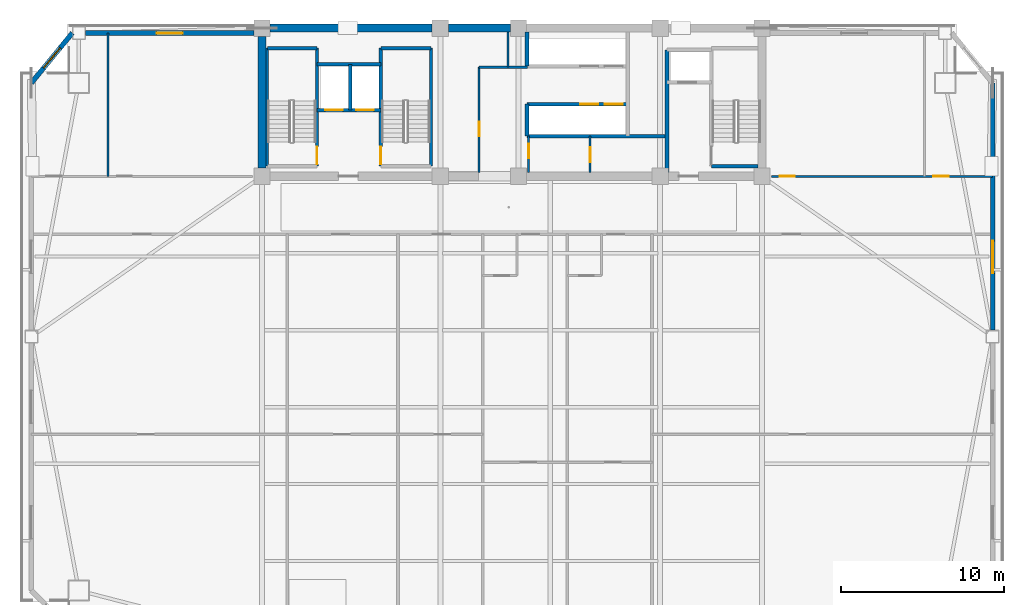
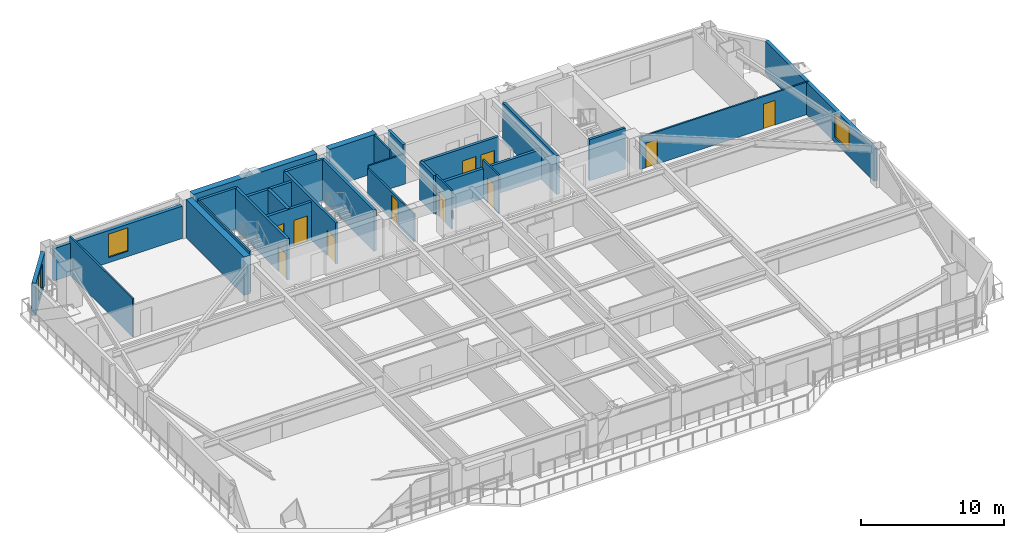
# One storey, part 9 of 16: 28 walls, 11 doors, 3 windows, 14 openings.
"""IFC4 building model written with IfcOpenShell, lengths in metres."""

import ifcopenshell
import ifcopenshell.guid

model = None  # the IFC model being written
_history = None  # IfcOwnerHistory: only IFC2X3 demands one
_inside = {}  # id of a spatial element -> (the spatial element, [elements in it])
_under = {}  # id of a project, library or spatial element -> (it, [spatial elements below it])
_declared = {}  # id of a project -> (the project, [libraries it declares])
_typed = {}  # id of a type object -> (the type object, [elements of that type])
_made_of = {}  # id of a material, layer set ... -> (it, [elements and type objects made of it])


def new_model(schema):
    """Start an empty IFC model of exactly this schema.

    Asked for "IFC4X3", IfcOpenShell would pick the latest addendum, in which some entities
    have other attributes; the version numbers below select the first issue.
    IFC2X3 requires an IfcOwnerHistory on every rooted entity: one is made here for all.
    """
    global model, _history
    if schema == "IFC4X3":
        model = ifcopenshell.file(schema_version=(4, 3, 0, 0))
    else:
        model = ifcopenshell.file(schema=schema)
    _inside.clear()
    _under.clear()
    _declared.clear()
    _typed.clear()
    _made_of.clear()
    _history = None
    if model.schema == "IFC2X3":
        org = make("IfcOrganization", Name="unknown")
        user = make(
            "IfcPersonAndOrganization",
            ThePerson=make("IfcPerson", FamilyName="unknown"),
            TheOrganization=org,
        )
        app = make(
            "IfcApplication",
            ApplicationDeveloper=org,
            Version="unknown",
            ApplicationFullName="unknown",
            ApplicationIdentifier="unknown",
        )
        _history = make(
            "IfcOwnerHistory",
            OwningUser=user,
            OwningApplication=app,
            ChangeAction="ADDED",
            CreationDate=0,
        )
    return model


def make(cls, **values):
    """One entity of the class cls with the attributes given. An attribute that is None is left unset."""
    return model.create_entity(
        cls, **{name: value for name, value in values.items() if value is not None}
    )


def rooted(cls, **values):
    """An entity with a GlobalId (a new one), such as an element, a storey or a relation."""
    return make(cls, GlobalId=ifcopenshell.guid.new(), OwnerHistory=_history, **values)


def si_unit(unit_type, name, prefix=None):
    """IfcSIUnit, for example si_unit("LENGTHUNIT", "METRE", prefix="MILLI")."""
    return make("IfcSIUnit", UnitType=unit_type, Prefix=prefix, Name=name)


def assignment(units):
    """IfcUnitAssignment: the units of a project."""
    return None if units is None else make("IfcUnitAssignment", Units=units)


def point(xyz):
    """IfcCartesianPoint."""
    return None if xyz is None else make("IfcCartesianPoint", Coordinates=xyz)


def direction(xyz):
    """IfcDirection."""
    return None if xyz is None else make("IfcDirection", DirectionRatios=xyz)


def frame(location, z_axis=None, x_axis=None):
    """IfcAxis2Placement3D, a coordinate frame: its origin and axes. An axis left out is left unset."""
    return make(
        "IfcAxis2Placement3D",
        Location=point(location),
        Axis=direction(z_axis),
        RefDirection=direction(x_axis),
    )


def frame_2d(location, x_axis=None):
    """IfcAxis2Placement2D, a coordinate frame in the plane: its origin and x axis."""
    return make(
        "IfcAxis2Placement2D", Location=point(location), RefDirection=direction(x_axis)
    )


def origin():
    """The frame at (0, 0, 0) with its axes left unset."""
    return frame((0.0, 0.0, 0.0))


def place(relative_to, where):
    """IfcLocalPlacement: puts the frame where relative to a parent placement (None: the world)."""
    return make(
        "IfcLocalPlacement", PlacementRelTo=relative_to, RelativePlacement=where
    )


def context(
    kind, dimensions, precision=None, world=None, true_north=None, identifier=None
):
    """IfcGeometricRepresentationContext, for example the 3D "Model" context."""
    return make(
        "IfcGeometricRepresentationContext",
        ContextIdentifier=identifier,
        ContextType=kind,
        CoordinateSpaceDimension=dimensions,
        Precision=precision,
        WorldCoordinateSystem=world,
        TrueNorth=true_north,
    )


def subcontext(parent, identifier, kind, view, scale=None):
    """IfcGeometricRepresentationSubContext, for example "Body" below "Model"."""
    return make(
        "IfcGeometricRepresentationSubContext",
        ContextIdentifier=identifier,
        ContextType=kind,
        ParentContext=parent,
        TargetScale=scale,
        TargetView=view,
    )


def project(units=None, contexts=None):
    """IfcProject with its units and contexts."""
    return rooted(
        "IfcProject",
        Name="project",
        RepresentationContexts=contexts,
        UnitsInContext=assignment(units),
    )


def spatial(cls, under=None, at=None, **own):
    """A site, building, storey or space (cls), placed at a placement, below another one or the project."""
    s = rooted(cls, ObjectPlacement=at, **own)
    if under is not None:
        _under.setdefault(under.id(), (under, []))[1].append(s)
    return s


def profile(cls, at=None, kind="AREA", **sizes):
    """A parametric profile (cls). Its sizes go by their IFC names, for example OverallWidth=200.0."""
    return make(cls, ProfileType=kind, Position=at, **sizes)


def rectangle(**sizes):
    """IfcRectangleProfileDef."""
    return profile("IfcRectangleProfileDef", **sizes)


def extrude(swept, where, along, depth):
    """IfcExtrudedAreaSolid: the profile swept, set in the frame where, extruded along a direction by depth."""
    return make(
        "IfcExtrudedAreaSolid",
        SweptArea=swept,
        Position=where,
        ExtrudedDirection=direction(along),
        Depth=depth,
    )


def shape(context_of_items, identifier, shape_type, items):
    """IfcShapeRepresentation: the items that make up one representation, for example the "Body"."""
    return make(
        "IfcShapeRepresentation",
        ContextOfItems=context_of_items,
        RepresentationIdentifier=identifier,
        RepresentationType=shape_type,
        Items=items,
    )


def source(mapping_origin, context_of_items, identifier, shape_type, items):
    """IfcRepresentationMap: a shape defined once, which mapped items show again and again."""
    return make(
        "IfcRepresentationMap",
        MappingOrigin=mapping_origin,
        MappedRepresentation=shape(context_of_items, identifier, shape_type, items),
    )


def transform(
    local_origin,
    x_axis=None,
    y_axis=None,
    z_axis=None,
    scale=None,
    scale2=None,
    scale3=None,
    uniform=True,
):
    """IfcCartesianTransformationOperator3D, or its non-uniform kind. x_axis, y_axis, z_axis: its Axis1, 2, 3."""
    if uniform:
        return make(
            "IfcCartesianTransformationOperator3D",
            Axis1=direction(x_axis),
            Axis2=direction(y_axis),
            LocalOrigin=point(local_origin),
            Scale=scale,
            Axis3=direction(z_axis),
        )
    return make(
        "IfcCartesianTransformationOperator3DnonUniform",
        Axis1=direction(x_axis),
        Axis2=direction(y_axis),
        LocalOrigin=point(local_origin),
        Scale=scale,
        Axis3=direction(z_axis),
        Scale2=scale2,
        Scale3=scale3,
    )


def mapped(mapping_source, mapping_target):
    """IfcMappedItem: shows the shape of a source again, moved by a transform."""
    return make(
        "IfcMappedItem", MappingSource=mapping_source, MappingTarget=mapping_target
    )


def material(Name=None, Category=None):
    """IfcMaterial."""
    return make("IfcMaterial", Name=Name, Category=Category)


def layer(
    of_material, thickness, ventilated=None, Name=None, Category=None, Priority=None
):
    """IfcMaterialLayer: one layer of a wall or slab, of a material (None: an air gap)."""
    return make(
        "IfcMaterialLayer",
        Material=of_material,
        LayerThickness=thickness,
        IsVentilated=ventilated,
        Name=Name,
        Category=Category,
        Priority=Priority,
    )


def layer_set(layers, Name=None):
    """IfcMaterialLayerSet."""
    return make("IfcMaterialLayerSet", MaterialLayers=layers, LayerSetName=Name)


def made_of(thing, what):
    """Note that an element or type object is made of a material, layer set ...; save() writes the relation."""
    if what is not None:
        _made_of.setdefault(what.id(), (what, []))[1].append(thing)
    return thing


def type_object(cls, material=None, **own):
    """A type object (cls), such as IfcWallType, which elements share."""
    return made_of(rooted(cls, **own), material)


def element(
    cls,
    number,
    at=None,
    inside=None,
    cuts=None,
    type_object=None,
    material=None,
    context=None,
    identifier="Body",
    shape_type=None,
    held_by="IfcProductDefinitionShape",
    body=None,
    shapes=None,
    **own,
):
    """One element of the class cls, such as IfcWall. Its Tag is "e" and its number.

    at: its placement. inside: the storey or other place that contains it. cuts: it is an
    opening in that element (IfcRelVoidsElement). A single representation is given by context,
    identifier, shape_type and body (its items); several are given by shapes. held_by: the class
    of the entity that holds the representations. save() writes the other relations.
    """
    e = rooted(cls, Tag="e%d" % number, ObjectPlacement=at, **own)
    if body is not None:
        shapes = [shape(context, identifier, shape_type, body)]
    if shapes is not None:
        e.Representation = make(held_by, Representations=shapes)
    if inside is not None:
        _inside.setdefault(inside.id(), (inside, []))[1].append(e)
    if cuts is not None:
        rooted(
            "IfcRelVoidsElement", RelatingBuildingElement=cuts, RelatedOpeningElement=e
        )
    if type_object is not None:
        _typed.setdefault(type_object.id(), (type_object, []))[1].append(e)
    return made_of(e, material)


def fill(opening, filler):
    """IfcRelFillsElement: the door or window that sits in an opening."""
    return rooted(
        "IfcRelFillsElement",
        RelatingOpeningElement=opening,
        RelatedBuildingElement=filler,
    )


def aggregate(whole, parts):
    """IfcRelAggregates: a whole, such as a stair, and the parts it consists of."""
    return rooted("IfcRelAggregates", RelatingObject=whole, RelatedObjects=parts)


def save(model, path):
    """Write the relations noted so far, then the file.

    IfcRelAggregates (storeys below a building ...), IfcRelContainedInSpatialStructure (elements
    in a storey), IfcRelDefinesByType, IfcRelAssociatesMaterial and IfcRelDeclares: one each for
    every whole, place, type object, material and project.
    """
    for whole, parts in _under.values():
        aggregate(whole, parts)
    for where, things in _inside.values():
        rooted(
            "IfcRelContainedInSpatialStructure",
            RelatedElements=things,
            RelatingStructure=where,
        )
    for kind, things in _typed.values():
        rooted("IfcRelDefinesByType", RelatedObjects=things, RelatingType=kind)
    for what, things in _made_of.values():
        rooted("IfcRelAssociatesMaterial", RelatedObjects=things, RelatingMaterial=what)
    for by, libraries in _declared.values():
        rooted("IfcRelDeclares", RelatingContext=by, RelatedDefinitions=libraries)
    model.write(path)


model = new_model("IFC4")

# Units and contexts
model_context = context("Model", 3, precision=1e-05, world=origin(), true_north=direction((0.0, 1.0)))
body_context = subcontext(model_context, "Body", "Model", "MODEL_VIEW")
ifc_project = project(units=[si_unit("LENGTHUNIT", "METRE"), si_unit("AREAUNIT", "SQUARE_METRE"), si_unit("VOLUMEUNIT", "CUBIC_METRE"), si_unit("PLANEANGLEUNIT", "RADIAN"), si_unit("MASSUNIT", "GRAM", prefix="KILO")], contexts=[model_context])

# Site, building, storey
site_placement = place(None, origin())
site = spatial("IfcSite", under=ifc_project, at=site_placement, CompositionType="ELEMENT")
building_placement = place(site_placement, origin())
building = spatial("IfcBuilding", under=site, at=building_placement, Name="Giltprow Tower", CompositionType="ELEMENT")
storey_placement = place(building_placement, frame((0.0, 0.0, 159.699951171875)))
storey = spatial("IfcBuildingStorey", under=building, at=storey_placement, Name="L39", CompositionType="ELEMENT", Elevation=159.699951171875)

# Wall, opening, window
ifc_material_1 = material(Name="Precast concrete C40", Category="concrete")
ifc_layer_1 = layer(ifc_material_1, 0.300048828125, Name="Precast concrete C40")
ifc_layer_set_1 = layer_set([ifc_layer_1], Name="Precast concrete C40")
wall_type_1 = type_object("IfcWallType", Name="EW-NOTCH-CHAMFER-300", PredefinedType="SOLIDWALL", material=ifc_layer_set_1)
wall_1_placement = place(storey_placement, frame((8.197021484375, 46.25, 0.0), z_axis=(0.0, 0.0, 1.0), x_axis=(-0.634274117039, -0.773108235925, 0.0)))
wall_1 = element("IfcWall", 1, at=wall_1_placement, inside=storey, type_object=wall_type_1, Name="L39 Corner Notch Wall NW", PredefinedType="SOLIDWALL", context=body_context, shape_type="SweptSolid", body=[
    extrude(rectangle(XDim=3.9619140625, YDim=0.300048828125, at=frame_2d((1.98095703125, 0.0))), origin(), (0.0, 0.0, 1.0), 2.75),
])
opening_1_placement = place(wall_1_placement, frame((1.180908203125, 0.0, 0.449951171875)))
opening_1 = element("IfcOpeningElement", 2, at=opening_1_placement, cuts=wall_1, Name="Opening WN17", PredefinedType="OPENING", context=body_context, shape_type="SweptSolid", body=[
    extrude(rectangle(XDim=1.60009765625, YDim=2.0, at=frame_2d((0.800048828125, 1.0))), frame((0.0, 0.159912109375, 0.0), z_axis=(0.0, -1.0, 0.0), x_axis=(1.0, 0.0, 0.0)), (0.0, 0.0, 1.0), 0.320068359375),
])
ifc_material_2 = material(Name="Insulated glass", Category="glass")
window_type_1 = type_object("IfcWindowType", Name="WN-COR-1600x2000", PartitioningType="SINGLE_PANEL", PredefinedType="WINDOW", material=ifc_material_2)
shared_shape_1 = source(origin(), body_context, "Body", "SweptSolid", [
    extrude(rectangle(XDim=1.60009765625, YDim=2.0, at=frame_2d((0.800048828125, 1.0))), frame((0.0, 0.030029296875, 0.0), z_axis=(0.0, -1.0, 0.0), x_axis=(1.0, 0.0, 0.0)), (0.0, 0.0, 1.0), 0.06005859375),
])
window_1_placement = place(opening_1_placement, origin())
window_1 = element("IfcWindow", 3, at=window_1_placement, inside=storey, type_object=window_type_1, Name="L39 Corner Notch Window NW", OverallHeight=2.0, OverallWidth=1.60009765625, PartitioningType="SINGLE_PANEL", PredefinedType="WINDOW", context=body_context, shape_type="MappedRepresentation", body=[
    mapped(shared_shape_1, transform((0.0, 0.0, 0.0), x_axis=(1.0, 0.0, 0.0), y_axis=(0.0, 1.0, 0.0), z_axis=(0.0, 0.0, 1.0), scale=1.0)),
])
fill(opening_1, window_1)

ifc_layer_2 = layer(ifc_material_1, 0.280029296875, Name="Precast concrete C40")
ifc_layer_set_2 = layer_set([ifc_layer_2], Name="Precast concrete C40")
wall_type_2 = type_object("IfcWallType", Name="EW-TOW-BRONZE-280", PredefinedType="SOLIDWALL", material=ifc_layer_set_2)
wall_2_placement = place(storey_placement, frame((64.716064453125, 27.9990234375, 0.0), z_axis=(0.0, 0.0, 1.0), x_axis=(0.0, 1.0, 0.0)))
wall_2 = element("IfcWall", 4, at=wall_2_placement, inside=storey, type_object=wall_type_2, Name="L39 E Wing Masonry Wall 2", PredefinedType="SOLIDWALL", context=body_context, shape_type="SweptSolid", body=[
    extrude(rectangle(XDim=15.18798828125, YDim=0.280029296875, at=frame_2d((7.593994140625, 0.0))), origin(), (0.0, 0.0, 1.0), 2.75),
])
opening_2_placement = place(wall_2_placement, frame((3.486083984375, 0.0, 0.449951171875)))
opening_2 = element("IfcOpeningElement", 5, at=opening_2_placement, cuts=wall_2, Name="Opening WN21", PredefinedType="OPENING", context=body_context, shape_type="SweptSolid", body=[
    extrude(rectangle(XDim=2.0, YDim=2.0, at=frame_2d((1.0, 1.0))), frame((0.0, 0.14990234375, 0.0), z_axis=(0.0, -1.0, 0.0), x_axis=(1.0, 0.0, 0.0)), (0.0, 0.0, 1.0), 0.300048828125),
])
window_type_2 = type_object("IfcWindowType", Name="WN-HTL-2000x2000", PartitioningType="DOUBLE_PANEL_VERTICAL", PredefinedType="WINDOW", material=ifc_material_2)
shared_shape_2 = source(origin(), body_context, "Body", "SweptSolid", [
    extrude(rectangle(XDim=2.0, YDim=2.0, at=frame_2d((1.0, 1.0))), frame((0.0, 0.030029296875, 0.0), z_axis=(0.0, -1.0, 0.0), x_axis=(1.0, 0.0, 0.0)), (0.0, 0.0, 1.0), 0.06005859375),
])
window_2_placement = place(opening_2_placement, origin())
window_2 = element("IfcWindow", 6, at=window_2_placement, inside=storey, type_object=window_type_2, Name="L39 E Wing Window 2-1", OverallHeight=2.0, OverallWidth=2.0, PartitioningType="SINGLE_PANEL", PredefinedType="WINDOW", context=body_context, shape_type="MappedRepresentation", body=[
    mapped(shared_shape_2, transform((0.0, 0.0, 0.0), x_axis=(1.0, 0.0, 0.0), y_axis=(0.0, 1.0, 0.0), z_axis=(0.0, 0.0, 1.0), scale=1.0)),
])
fill(opening_2, window_2)

wall_3_placement = place(storey_placement, frame((8.9970703125, 46.25, 0.0), z_axis=(0.0, 0.0, 1.0), x_axis=(1.0, 0.0, 0.0)))
wall_3 = element("IfcWall", 7, at=wall_3_placement, inside=storey, type_object=wall_type_2, Name="L39 North-West Wing Wall", PredefinedType="SOLIDWALL", context=body_context, shape_type="SweptSolid", body=[
    extrude(rectangle(XDim=10.35302734375, YDim=0.280029296875, at=frame_2d((5.176513671875, 0.0))), origin(), (0.0, 0.0, 1.0), 2.75),
])
opening_3_placement = place(wall_3_placement, frame((4.376953125, 0.0, 0.449951171875)))
opening_3 = element("IfcOpeningElement", 8, at=opening_3_placement, cuts=wall_3, Name="Opening WN17", PredefinedType="OPENING", context=body_context, shape_type="SweptSolid", body=[
    extrude(rectangle(XDim=1.60009765625, YDim=2.0, at=frame_2d((0.800048828125, 1.0))), frame((0.0, 0.14990234375, 0.0), z_axis=(0.0, -1.0, 0.0), x_axis=(1.0, 0.0, 0.0)), (0.0, 0.0, 1.0), 0.300048828125),
])
window_3_placement = place(opening_3_placement, origin())
window_3 = element("IfcWindow", 9, at=window_3_placement, inside=storey, type_object=window_type_1, Name="L39 North-West Window", OverallHeight=2.0, OverallWidth=1.60009765625, PartitioningType="SINGLE_PANEL", PredefinedType="WINDOW", context=body_context, shape_type="MappedRepresentation", body=[
    mapped(shared_shape_1, transform((0.0, 0.0, 0.0), x_axis=(1.0, 0.0, 0.0), y_axis=(0.0, 1.0, 0.0), z_axis=(0.0, 0.0, 1.0), scale=1.0)),
])
fill(opening_3, window_3)

# Wall, openings, doors
ifc_material_3 = material(Name="Concrete C40", Category="concrete")
ifc_layer_3 = layer(ifc_material_3, 0.219970703125, Name="Concrete C40")
ifc_layer_set_3 = layer_set([ifc_layer_3], Name="Concrete C40")
wall_type_3 = type_object("IfcWallType", Name="IW-SHAFT-220", PredefinedType="SOLIDWALL", material=ifc_layer_set_3)
wall_4_placement = place(storey_placement, frame((23.219970703125, 41.52001953125, 0.0), z_axis=(0.0, 0.0, 1.0), x_axis=(1.0, 0.0, 0.0)))
wall_4 = element("IfcWall", 10, at=wall_4_placement, inside=storey, type_object=wall_type_3, Name="L39 FFL1 and Service Lift Front Wall", PredefinedType="SOLIDWALL", context=body_context, shape_type="SweptSolid", body=[
    extrude(rectangle(XDim=3.919921875, YDim=0.219970703125, at=frame_2d((1.9599609375, 0.0))), origin(), (0.0, 0.0, 1.0), 3.27001953125),
])
opening_4_placement = place(wall_4_placement, frame((0.5, 0.0, 0.0)))
opening_4 = element("IfcOpeningElement", 11, at=opening_4_placement, cuts=wall_4, Name="Opening LD-11", PredefinedType="OPENING", context=body_context, shape_type="SweptSolid", body=[
    extrude(rectangle(XDim=1.10009765625, YDim=2.199951171875, at=frame_2d((0.550048828125, 1.10009765625))), frame((0.0, 0.119873046875, 0.0), z_axis=(0.0, -1.0, 0.0), x_axis=(1.0, 0.0, 0.0)), (0.0, 0.0, 1.0), 0.239990234375),
])
opening_5_placement = place(wall_4_placement, frame((2.39990234375, 0.0, 0.0)))
opening_5 = element("IfcOpeningElement", 12, at=opening_5_placement, cuts=wall_4, Name="Opening LD-11", PredefinedType="OPENING", context=body_context, shape_type="SweptSolid", body=[
    extrude(rectangle(XDim=1.10009765625, YDim=2.199951171875, at=frame_2d((0.550048828125, 1.10009765625))), frame((0.0, 0.119873046875, 0.0), z_axis=(0.0, -1.0, 0.0), x_axis=(1.0, 0.0, 0.0)), (0.0, 0.0, 1.0), 0.239990234375),
])
ifc_material_4 = material(Name="Stainless steel", Category="steel")
door_type_1 = type_object("IfcDoorType", Name="DR-LIFT-LD1100", OperationType="SLIDING_TO_LEFT", PredefinedType="DOOR", material=ifc_material_4)
shared_shape_3 = source(origin(), body_context, "Body", "SweptSolid", [
    extrude(rectangle(XDim=1.10009765625, YDim=2.199951171875, at=frame_2d((0.550048828125, 1.10009765625))), frame((0.0, 0.02490234375, 0.0), z_axis=(0.0, -1.0, 0.0), x_axis=(1.0, 0.0, 0.0)), (0.0, 0.0, 1.0), 0.050048828125),
])
door_1_placement = place(opening_4_placement, origin())
door_1 = element("IfcDoor", 13, at=door_1_placement, inside=storey, type_object=door_type_1, Name="L39 FFL1 Landing Door", OperationType="SLIDING_TO_LEFT", OverallHeight=2.199951171875, OverallWidth=1.10009765625, PredefinedType="DOOR", context=body_context, shape_type="MappedRepresentation", body=[
    mapped(shared_shape_3, transform((0.0, 0.0, 0.0), x_axis=(1.0, 0.0, 0.0), y_axis=(0.0, 1.0, 0.0), z_axis=(0.0, 0.0, 1.0), scale=1.0)),
])
fill(opening_4, door_1)
door_2_placement = place(opening_5_placement, origin())
door_2 = element("IfcDoor", 14, at=door_2_placement, inside=storey, type_object=door_type_1, Name="L39 SVL1 Landing Door", OperationType="SLIDING_TO_LEFT", OverallHeight=2.199951171875, OverallWidth=1.10009765625, PredefinedType="DOOR", context=body_context, shape_type="MappedRepresentation", body=[
    mapped(shared_shape_3, transform((0.0, 0.0, 0.0), x_axis=(1.0, 0.0, 0.0), y_axis=(0.0, 1.0, 0.0), z_axis=(0.0, 0.0, 1.0), scale=1.0)),
])
fill(opening_5, door_2)

# Walls
wall_5_placement = place(storey_placement, frame((25.260009765625, 41.52001953125, 0.0), z_axis=(0.0, 0.0, 1.0), x_axis=(0.0, 1.0, 0.0)))
element("IfcWall", 15, at=wall_5_placement, inside=storey, type_object=wall_type_3, Name="L39 FFL1-SVL1 Shaft Divider", PredefinedType="SOLIDWALL", context=body_context, shape_type="SweptSolid", body=[
    extrude(rectangle(XDim=2.800048828125, YDim=0.219970703125, at=frame_2d((1.39990234375, 0.0))), origin(), (0.0, 0.0, 1.0), 3.27001953125),
])
wall_6_placement = place(storey_placement, frame((23.219970703125, 44.320068359375, 0.0), z_axis=(0.0, 0.0, 1.0), x_axis=(1.0, 0.0, 0.0)))
element("IfcWall", 16, at=wall_6_placement, inside=storey, type_object=wall_type_3, Name="L39 FFL1-SVL1 Back Shaft Wall", PredefinedType="SOLIDWALL", context=body_context, shape_type="SweptSolid", body=[
    extrude(rectangle(XDim=3.919921875, YDim=0.219970703125, at=frame_2d((1.9599609375, 0.0))), origin(), (0.0, 0.0, 1.0), 3.27001953125),
])
wall_7_placement = place(storey_placement, frame((44.719970703125, 37.679931640625, 0.0), z_axis=(0.0, 0.0, 1.0), x_axis=(0.0, 1.0, 0.0)))
element("IfcWall", 17, at=wall_7_placement, inside=storey, type_object=wall_type_3, Name="L39 East Firefighting Lobby West Wall", PredefinedType="SOLIDWALL", context=body_context, shape_type="SweptSolid", body=[
    extrude(rectangle(XDim=7.5400390625, YDim=0.219970703125, at=frame_2d((3.77001953125, 0.0))), origin(), (0.0, 0.0, 1.0), 3.27001953125),
])

# Wall, openings, doors
wall_8_placement = place(storey_placement, frame((36.1201171875, 41.8798828125, 0.0), z_axis=(0.0, 0.0, 1.0), x_axis=(1.0, 0.0, 0.0)))
wall_8 = element("IfcWall", 18, at=wall_8_placement, inside=storey, type_object=wall_type_3, Name="L39 Mid-Rise Lift Shaft Front Wall S", PredefinedType="SOLIDWALL", context=body_context, shape_type="SweptSolid", body=[
    extrude(rectangle(XDim=6.199951171875, YDim=0.219970703125, at=frame_2d((3.10009765625, 0.0))), origin(), (0.0, 0.0, 1.0), 3.27001953125),
])
opening_6_placement = place(wall_8_placement, frame((3.280029296875, 0.0, 0.0)))
opening_6 = element("IfcOpeningElement", 19, at=opening_6_placement, cuts=wall_8, Name="Opening LD-11", PredefinedType="OPENING", context=body_context, shape_type="SweptSolid", body=[
    extrude(rectangle(XDim=1.10009765625, YDim=2.199951171875, at=frame_2d((0.550048828125, 1.10009765625))), frame((0.0, 0.119873046875, 0.0), z_axis=(0.0, -1.0, 0.0), x_axis=(1.0, 0.0, 0.0)), (0.0, 0.0, 1.0), 0.239990234375),
])
opening_7_placement = place(wall_8_placement, frame((4.77001953125, 0.0, 0.0)))
opening_7 = element("IfcOpeningElement", 20, at=opening_7_placement, cuts=wall_8, Name="Opening LD-11", PredefinedType="OPENING", context=body_context, shape_type="SweptSolid", body=[
    extrude(rectangle(XDim=1.10009765625, YDim=2.199951171875, at=frame_2d((0.550048828125, 1.10009765625))), frame((0.0, 0.119873046875, 0.0), z_axis=(0.0, -1.0, 0.0), x_axis=(1.0, 0.0, 0.0)), (0.0, 0.0, 1.0), 0.239990234375),
])
door_3_placement = place(opening_6_placement, origin())
door_3 = element("IfcDoor", 21, at=door_3_placement, inside=storey, type_object=door_type_1, Name="L39 PL-M3 Landing Door", OperationType="SLIDING_TO_LEFT", OverallHeight=2.199951171875, OverallWidth=1.10009765625, PredefinedType="DOOR", context=body_context, shape_type="MappedRepresentation", body=[
    mapped(shared_shape_3, transform((0.0, 0.0, 0.0), x_axis=(1.0, 0.0, 0.0), y_axis=(0.0, 1.0, 0.0), z_axis=(0.0, 0.0, 1.0), scale=1.0)),
])
fill(opening_6, door_3)
door_4_placement = place(opening_7_placement, origin())
door_4 = element("IfcDoor", 22, at=door_4_placement, inside=storey, type_object=door_type_1, Name="L39 PL-M4 Landing Door", OperationType="SLIDING_TO_LEFT", OverallHeight=2.199951171875, OverallWidth=1.10009765625, PredefinedType="DOOR", context=body_context, shape_type="MappedRepresentation", body=[
    mapped(shared_shape_3, transform((0.0, 0.0, 0.0), x_axis=(1.0, 0.0, 0.0), y_axis=(0.0, 1.0, 0.0), z_axis=(0.0, 0.0, 1.0), scale=1.0)),
])
fill(opening_7, door_4)

# Walls
wall_9_placement = place(storey_placement, frame((36.1201171875, 39.919921875, 0.0), z_axis=(0.0, 0.0, 1.0), x_axis=(1.0, 0.0, 0.0)))
element("IfcWall", 23, at=wall_9_placement, inside=storey, type_object=wall_type_3, Name="L39 Mid-Rise South Lift Back Wall", PredefinedType="SOLIDWALL", context=body_context, shape_type="SweptSolid", body=[
    extrude(rectangle(XDim=8.599853515625, YDim=0.219970703125, at=frame_2d((4.2998046875, 0.0))), origin(), (0.0, 0.0, 1.0), 2.554931640625),
])
wall_10_placement = place(storey_placement, frame((36.1201171875, 39.919921875, 0.0), z_axis=(0.0, 0.0, 1.0), x_axis=(0.0, 1.0, 0.0)))
element("IfcWall", 24, at=wall_10_placement, inside=storey, type_object=wall_type_3, Name="L39 Mid-Rise South Lift West Closure", PredefinedType="SOLIDWALL", context=body_context, shape_type="SweptSolid", body=[
    extrude(rectangle(XDim=1.9599609375, YDim=0.219970703125, at=frame_2d((0.97998046875, 0.0))), origin(), (0.0, 0.0, 1.0), 3.27001953125),
])
wall_11_placement = place(storey_placement, frame((36.1201171875, 44.219970703125, 0.0), z_axis=(0.0, 0.0, 1.0), x_axis=(0.0, 1.0, 0.0)))
element("IfcWall", 25, at=wall_11_placement, inside=storey, type_object=wall_type_3, Name="L39 Mid-Rise North Lift West Closure", PredefinedType="SOLIDWALL", context=body_context, shape_type="SweptSolid", body=[
    extrude(rectangle(XDim=2.10009765625, YDim=0.219970703125, at=frame_2d((1.050048828125, 0.0))), origin(), (0.0, 0.0, 1.0), 3.27001953125),
])
ifc_material_5 = material(Name="Concrete C45", Category="concrete")
ifc_layer_4 = layer(ifc_material_5, 0.139892578125, Name="Concrete C45")
ifc_layer_set_4 = layer_set([ifc_layer_4], Name="Concrete C45")
wall_type_4 = type_object("IfcWallType", Name="IW-STAIR-140", PredefinedType="SOLIDWALL", material=ifc_layer_set_4)
wall_12_placement = place(storey_placement, frame((20.169921875, 38.070068359375, 0.0), z_axis=(0.0, 0.0, 1.0), x_axis=(0.0, 1.0, 0.0)))
element("IfcWall", 26, at=wall_12_placement, inside=storey, type_object=wall_type_4, Name="L39 Stair ST-1 West Bearing Wall", PredefinedType="SOLIDWALL", context=body_context, shape_type="SweptSolid", body=[
    extrude(rectangle(XDim=7.25, YDim=0.139892578125, at=frame_2d((3.625, 0.0))), origin(), (0.0, 0.0, 1.0), 3.5),
])

# Wall, opening, door
ifc_layer_5 = layer(ifc_material_3, 0.199951171875, Name="Concrete C40")
ifc_layer_set_5 = layer_set([ifc_layer_5], Name="Concrete C40")
wall_type_5 = type_object("IfcWallType", Name="IW-STAIR-200", PredefinedType="SOLIDWALL", material=ifc_layer_set_5)
wall_13_placement = place(storey_placement, frame((23.219970703125, 38.070068359375, 0.0), z_axis=(0.0, 0.0, 1.0), x_axis=(0.0, 1.0, 0.0)))
wall_13 = element("IfcWall", 27, at=wall_13_placement, inside=storey, type_object=wall_type_5, Name="L39 Stair ST-1 East Bearing Wall", PredefinedType="SOLIDWALL", context=body_context, shape_type="SweptSolid", body=[
    extrude(rectangle(XDim=7.25, YDim=0.199951171875, at=frame_2d((3.625, 0.0))), origin(), (0.0, 0.0, 1.0), 3.5),
])
opening_8_placement = place(wall_13_placement, frame((0.110107421875, 0.0, 0.0)))
opening_8 = element("IfcOpeningElement", 28, at=opening_8_placement, cuts=wall_13, Name="Opening ID33", PredefinedType="OPENING", context=body_context, shape_type="SweptSolid", body=[
    extrude(rectangle(XDim=1.10009765625, YDim=2.14990234375, at=frame_2d((0.550048828125, 1.074951171875))), frame((0.0, 0.10986328125, 0.0), z_axis=(0.0, -1.0, 0.0), x_axis=(1.0, 0.0, 0.0)), (0.0, 0.0, 1.0), 0.219970703125),
])
ifc_material_6 = material(Name="Steel fire leaf", Category="steel")
door_type_2 = type_object("IfcDoorType", Name="DR-STAIR-1100", OperationType="SINGLE_SWING_LEFT", PredefinedType="DOOR", material=ifc_material_6)
shared_shape_4 = source(origin(), body_context, "Body", "SweptSolid", [
    extrude(rectangle(XDim=1.10009765625, YDim=2.14990234375, at=frame_2d((0.550048828125, 1.074951171875))), frame((0.0, 0.02490234375, 0.0), z_axis=(0.0, -1.0, 0.0), x_axis=(1.0, 0.0, 0.0)), (0.0, 0.0, 1.0), 0.050048828125),
])
door_5_placement = place(opening_8_placement, origin())
door_5 = element("IfcDoor", 29, at=door_5_placement, inside=storey, type_object=door_type_2, Name="L39 Stair ST-1 Fire Door", OperationType="SINGLE_SWING_RIGHT", OverallHeight=2.14990234375, OverallWidth=1.10009765625, PredefinedType="DOOR", context=body_context, shape_type="MappedRepresentation", body=[
    mapped(shared_shape_4, transform((0.0, 0.0, 0.0), x_axis=(1.0, 0.0, 0.0), y_axis=(0.0, 1.0, 0.0), z_axis=(0.0, 0.0, 1.0), scale=1.0)),
])
fill(opening_8, door_5)

# Wall
wall_14_placement = place(storey_placement, frame((20.169921875, 45.320068359375, 0.0), z_axis=(0.0, 0.0, 1.0), x_axis=(1.0, 0.0, 0.0)))
element("IfcWall", 30, at=wall_14_placement, inside=storey, type_object=wall_type_5, Name="L39 Stair ST-1 North Bearing Wall", PredefinedType="SOLIDWALL", context=body_context, shape_type="SweptSolid", body=[
    extrude(rectangle(XDim=3.050048828125, YDim=0.199951171875, at=frame_2d((1.52490234375, 0.0))), origin(), (0.0, 0.0, 1.0), 3.5),
])

# Wall, opening, door
wall_15_placement = place(storey_placement, frame((27.139892578125, 38.070068359375, 0.0), z_axis=(0.0, 0.0, 1.0), x_axis=(0.0, 1.0, 0.0)))
wall_15 = element("IfcWall", 31, at=wall_15_placement, inside=storey, type_object=wall_type_5, Name="L39 Stair ST-2 West Bearing Wall", PredefinedType="SOLIDWALL", context=body_context, shape_type="SweptSolid", body=[
    extrude(rectangle(XDim=7.25, YDim=0.199951171875, at=frame_2d((3.625, 0.0))), origin(), (0.0, 0.0, 1.0), 3.5),
])
opening_9_placement = place(wall_15_placement, frame((0.110107421875, 0.0, 0.0)))
opening_9 = element("IfcOpeningElement", 32, at=opening_9_placement, cuts=wall_15, Name="Opening ID33", PredefinedType="OPENING", context=body_context, shape_type="SweptSolid", body=[
    extrude(rectangle(XDim=1.10009765625, YDim=2.14990234375, at=frame_2d((0.550048828125, 1.074951171875))), frame((0.0, 0.10986328125, 0.0), z_axis=(0.0, -1.0, 0.0), x_axis=(1.0, 0.0, 0.0)), (0.0, 0.0, 1.0), 0.219970703125),
])
door_6_placement = place(opening_9_placement, origin())
door_6 = element("IfcDoor", 33, at=door_6_placement, inside=storey, type_object=door_type_2, Name="L39 Stair ST-2 Fire Door", OperationType="SINGLE_SWING_LEFT", OverallHeight=2.14990234375, OverallWidth=1.10009765625, PredefinedType="DOOR", context=body_context, shape_type="MappedRepresentation", body=[
    mapped(shared_shape_4, transform((0.0, 0.0, 0.0), x_axis=(1.0, 0.0, 0.0), y_axis=(0.0, 1.0, 0.0), z_axis=(0.0, 0.0, 1.0), scale=1.0)),
])
fill(opening_9, door_6)

# Walls
wall_16_placement = place(storey_placement, frame((30.219970703125, 38.070068359375, 0.0), z_axis=(0.0, 0.0, 1.0), x_axis=(0.0, 1.0, 0.0)))
element("IfcWall", 34, at=wall_16_placement, inside=storey, type_object=wall_type_5, Name="L39 Stair ST-2 East Bearing Wall", PredefinedType="SOLIDWALL", context=body_context, shape_type="SweptSolid", body=[
    extrude(rectangle(XDim=7.25, YDim=0.199951171875, at=frame_2d((3.625, 0.0))), origin(), (0.0, 0.0, 1.0), 3.5),
])
wall_17_placement = place(storey_placement, frame((27.139892578125, 45.320068359375, 0.0), z_axis=(0.0, 0.0, 1.0), x_axis=(1.0, 0.0, 0.0)))
element("IfcWall", 35, at=wall_17_placement, inside=storey, type_object=wall_type_5, Name="L39 Stair ST-2 North Bearing Wall", PredefinedType="SOLIDWALL", context=body_context, shape_type="SweptSolid", body=[
    extrude(rectangle(XDim=3.080078125, YDim=0.199951171875, at=frame_2d((1.5400390625, 0.0))), origin(), (0.0, 0.0, 1.0), 3.5),
])
wall_18_placement = place(storey_placement, frame((47.43994140625, 38.070068359375, 0.0), z_axis=(0.0, 0.0, 1.0), x_axis=(1.0, 0.0, 0.0)))
element("IfcWall", 36, at=wall_18_placement, inside=storey, type_object=wall_type_5, Name="L39 Stair ST-3 South Bearing Wall", PredefinedType="SOLIDWALL", context=body_context, shape_type="SweptSolid", body=[
    extrude(rectangle(XDim=2.880126953125, YDim=0.199951171875, at=frame_2d((1.43994140625, 0.0))), origin(), (0.0, 0.0, 1.0), 3.5),
])

# Wall, opening, door
ifc_material_7 = material(Name="Concrete C30", Category="concrete")
ifc_layer_6 = layer(ifc_material_7, 0.1298828125, Name="Concrete C30")
ifc_layer_set_6 = layer_set([ifc_layer_6], Name="Concrete C30")
wall_type_6 = type_object("IfcWallType", Name="IW-WET-130", PredefinedType="PARTITIONING", material=ifc_layer_set_6)
wall_19_placement = place(storey_placement, frame((33.179931640625, 37.679931640625, 0.0), z_axis=(0.0, 0.0, 1.0), x_axis=(0.0, 1.0, 0.0)))
wall_19 = element("IfcWall", 37, at=wall_19_placement, inside=storey, type_object=wall_type_6, Name="L39 Reclaimed Core Room East Wall", PredefinedType="PARTITIONING", context=body_context, shape_type="SweptSolid", body=[
    extrude(rectangle(XDim=6.469970703125, YDim=0.1298828125, at=frame_2d((3.23486328125, 0.0))), origin(), (0.0, 0.0, 1.0), 2.35498046875),
])
opening_10_placement = place(wall_19_placement, frame((2.219970703125, 0.0, 0.0)))
opening_10 = element("IfcOpeningElement", 38, at=opening_10_placement, cuts=wall_19, Name="Opening ID35", PredefinedType="OPENING", context=body_context, shape_type="SweptSolid", body=[
    extrude(rectangle(XDim=0.89990234375, YDim=2.10009765625, at=frame_2d((0.449951171875, 1.050048828125))), frame((0.0, 0.074951171875, 0.0), z_axis=(0.0, -1.0, 0.0), x_axis=(1.0, 0.0, 0.0)), (0.0, 0.0, 1.0), 0.14990234375),
])
door_type_3 = type_object("IfcDoorType", Name="DR-SHAFT-900", OperationType="SINGLE_SWING_LEFT", PredefinedType="DOOR", material=ifc_material_6)
shared_shape_5 = source(origin(), body_context, "Body", "SweptSolid", [
    extrude(rectangle(XDim=0.89990234375, YDim=2.10009765625, at=frame_2d((0.449951171875, 1.050048828125))), frame((0.0, 0.02490234375, 0.0), z_axis=(0.0, -1.0, 0.0), x_axis=(1.0, 0.0, 0.0)), (0.0, 0.0, 1.0), 0.050048828125),
])
door_7_placement = place(opening_10_placement, origin())
door_7 = element("IfcDoor", 39, at=door_7_placement, inside=storey, type_object=door_type_3, Name="L39 Housekeeping and Linen Suite Door", OperationType="SINGLE_SWING_LEFT", OverallHeight=2.10009765625, OverallWidth=0.89990234375, PredefinedType="DOOR", context=body_context, shape_type="MappedRepresentation", body=[
    mapped(shared_shape_5, transform((0.0, 0.0, 0.0), x_axis=(1.0, 0.0, 0.0), y_axis=(0.0, 1.0, 0.0), z_axis=(0.0, 0.0, 1.0), scale=1.0)),
])
fill(opening_10, door_7)

# Walls
wall_20_placement = place(storey_placement, frame((34.949951171875, 44.14990234375, 0.0), z_axis=(0.0, 0.0, 1.0), x_axis=(0.0, 1.0, 0.0)))
element("IfcWall", 40, at=wall_20_placement, inside=storey, type_object=wall_type_6, Name="L39 Reclaimed North Pocket East Wall", PredefinedType="PARTITIONING", context=body_context, shape_type="SweptSolid", body=[
    extrude(rectangle(XDim=2.170166015625, YDim=0.1298828125, at=frame_2d((1.0849609375, 0.0))), origin(), (0.0, 0.0, 1.0), 3.27001953125),
])
wall_21_placement = place(storey_placement, frame((33.179931640625, 44.14990234375, 0.0), z_axis=(0.0, 0.0, 1.0), x_axis=(1.0, 0.0, 0.0)))
element("IfcWall", 41, at=wall_21_placement, inside=storey, type_object=wall_type_6, Name="L39 Reclaimed North Pocket South Wall", PredefinedType="PARTITIONING", context=body_context, shape_type="SweptSolid", body=[
    extrude(rectangle(XDim=2.969970703125, YDim=0.1298828125, at=frame_2d((1.48486328125, 0.0))), origin(), (0.0, 0.0, 1.0), 2.554931640625),
])

# Wall, opening, door
wall_22_placement = place(storey_placement, frame((36.219970703125, 37.679931640625, 0.0), z_axis=(0.0, 0.0, 1.0), x_axis=(0.0, 1.0, 0.0)))
wall_22 = element("IfcWall", 42, at=wall_22_placement, inside=storey, type_object=wall_type_6, Name="L39 Core Valet West Wall", PredefinedType="PARTITIONING", context=body_context, shape_type="SweptSolid", body=[
    extrude(rectangle(XDim=2.239990234375, YDim=0.1298828125, at=frame_2d((1.1201171875, 0.0))), origin(), (0.0, 0.0, 1.0), 3.27001953125),
])
opening_11_placement = place(wall_22_placement, frame((0.8798828125, 0.0, 0.0)))
opening_11 = element("IfcOpeningElement", 43, at=opening_11_placement, cuts=wall_22, Name="Opening ID35", PredefinedType="OPENING", context=body_context, shape_type="SweptSolid", body=[
    extrude(rectangle(XDim=0.89990234375, YDim=2.10009765625, at=frame_2d((0.449951171875, 1.050048828125))), frame((0.0, 0.074951171875, 0.0), z_axis=(0.0, -1.0, 0.0), x_axis=(1.0, 0.0, 0.0)), (0.0, 0.0, 1.0), 0.14990234375),
])
door_8_placement = place(opening_11_placement, origin())
door_8 = element("IfcDoor", 44, at=door_8_placement, inside=storey, type_object=door_type_3, Name="L39 Core Staff WC Door", OperationType="SINGLE_SWING_RIGHT", OverallHeight=2.10009765625, OverallWidth=0.89990234375, PredefinedType="DOOR", context=body_context, shape_type="MappedRepresentation", body=[
    mapped(shared_shape_5, transform((0.0, 0.0, 0.0), x_axis=(1.0, 0.0, 0.0), y_axis=(0.0, 1.0, 0.0), z_axis=(0.0, 0.0, 1.0), scale=1.0)),
])
fill(opening_11, door_8)

wall_23_placement = place(storey_placement, frame((40.0, 37.679931640625, 0.0), z_axis=(0.0, 0.0, 1.0), x_axis=(0.0, 1.0, 0.0)))
wall_23 = element("IfcWall", 45, at=wall_23_placement, inside=storey, type_object=wall_type_6, Name="L39 Core Valet Split", PredefinedType="PARTITIONING", context=body_context, shape_type="SweptSolid", body=[
    extrude(rectangle(XDim=2.239990234375, YDim=0.1298828125, at=frame_2d((1.1201171875, 0.0))), origin(), (0.0, 0.0, 1.0), 3.27001953125),
])
opening_12_placement = place(wall_23_placement, frame((0.639892578125, 0.0, 0.0)))
opening_12 = element("IfcOpeningElement", 46, at=opening_12_placement, cuts=wall_23, Name="Opening ID35", PredefinedType="OPENING", context=body_context, shape_type="SweptSolid", body=[
    extrude(rectangle(XDim=0.89990234375, YDim=2.10009765625, at=frame_2d((0.449951171875, 1.050048828125))), frame((0.0, 0.074951171875, 0.0), z_axis=(0.0, -1.0, 0.0), x_axis=(1.0, 0.0, 0.0)), (0.0, 0.0, 1.0), 0.14990234375),
])
door_9_placement = place(opening_12_placement, origin())
door_9 = element("IfcDoor", 47, at=door_9_placement, inside=storey, type_object=door_type_3, Name="L39 Core Minibar Pantry Door", OperationType="SINGLE_SWING_LEFT", OverallHeight=2.10009765625, OverallWidth=0.89990234375, PredefinedType="DOOR", context=body_context, shape_type="MappedRepresentation", body=[
    mapped(shared_shape_5, transform((0.0, 0.0, 0.0), x_axis=(1.0, 0.0, 0.0), y_axis=(0.0, 1.0, 0.0), z_axis=(0.0, 0.0, 1.0), scale=1.0)),
])
fill(opening_12, door_9)

# Wall
wall_24_placement = place(storey_placement, frame((10.39404296875, 37.449951171875, 0.0), z_axis=(0.0, 0.0, 1.0), x_axis=(0.0, 1.0, 0.0)))
element("IfcWall", 48, at=wall_24_placement, inside=storey, type_object=wall_type_6, Name="L39 NW Wing Divider", PredefinedType="PARTITIONING", context=body_context, shape_type="SweptSolid", body=[
    extrude(rectangle(XDim=8.800048828125, YDim=0.1298828125, at=frame_2d((4.39990234375, 0.0))), origin(), (0.0, 0.0, 1.0), 3.27001953125),
])

# Wall, openings, doors
wall_25_placement = place(storey_placement, frame((51.14990234375, 37.449951171875, 0.0), z_axis=(0.0, 0.0, 1.0), x_axis=(1.0, 0.0, 0.0)))
wall_25 = element("IfcWall", 49, at=wall_25_placement, inside=storey, type_object=wall_type_6, Name="L39 NE Wing South Wall", PredefinedType="PARTITIONING", context=body_context, shape_type="SweptSolid", body=[
    extrude(rectangle(XDim=13.566162109375, YDim=0.1298828125, at=frame_2d((6.783203125, 0.0))), origin(), (0.0, 0.0, 1.0), 2.755126953125),
])
opening_13_placement = place(wall_25_placement, frame((0.5, 0.0, 0.0)))
opening_13 = element("IfcOpeningElement", 50, at=opening_13_placement, cuts=wall_25, Name="Opening ID15", PredefinedType="OPENING", context=body_context, shape_type="SweptSolid", body=[
    extrude(rectangle(XDim=0.89990234375, YDim=2.10009765625, at=frame_2d((0.449951171875, 1.050048828125))), frame((0.0, 0.074951171875, 0.0), z_axis=(0.0, -1.0, 0.0), x_axis=(1.0, 0.0, 0.0)), (0.0, 0.0, 1.0), 0.14990234375),
])
opening_14_placement = place(wall_25_placement, frame((9.93603515625, 0.0, 0.0)))
opening_14 = element("IfcOpeningElement", 51, at=opening_14_placement, cuts=wall_25, Name="Opening ID11", PredefinedType="OPENING", context=body_context, shape_type="SweptSolid", body=[
    extrude(rectangle(XDim=0.949951171875, YDim=2.10009765625, at=frame_2d((0.47509765625, 1.050048828125))), frame((0.0, 0.074951171875, 0.0), z_axis=(0.0, -1.0, 0.0), x_axis=(1.0, 0.0, 0.0)), (0.0, 0.0, 1.0), 0.14990234375),
])
ifc_material_8 = material(Name="Engineered timber", Category="wood")
door_type_4 = type_object("IfcDoorType", Name="DR-WC-900", OperationType="SINGLE_SWING_LEFT", PredefinedType="DOOR", material=ifc_material_8)
door_10_placement = place(opening_13_placement, origin())
door_10 = element("IfcDoor", 52, at=door_10_placement, inside=storey, type_object=door_type_4, Name="L39 East Wing Washroom Door", OperationType="SINGLE_SWING_RIGHT", OverallHeight=2.10009765625, OverallWidth=0.89990234375, PredefinedType="DOOR", context=body_context, shape_type="MappedRepresentation", body=[
    mapped(shared_shape_5, transform((0.0, 0.0, 0.0), x_axis=(1.0, 0.0, 0.0), y_axis=(0.0, 1.0, 0.0), z_axis=(0.0, 0.0, 1.0), scale=1.0)),
])
fill(opening_13, door_10)
door_type_5 = type_object("IfcDoorType", Name="DR-ROOM-950", OperationType="SINGLE_SWING_RIGHT", PredefinedType="DOOR", material=ifc_material_8)
shared_shape_6 = source(origin(), body_context, "Body", "SweptSolid", [
    extrude(rectangle(XDim=0.949951171875, YDim=2.10009765625, at=frame_2d((0.47509765625, 1.050048828125))), frame((0.0, 0.02490234375, 0.0), z_axis=(0.0, -1.0, 0.0), x_axis=(1.0, 0.0, 0.0)), (0.0, 0.0, 1.0), 0.050048828125),
])
door_11_placement = place(opening_14_placement, origin())
door_11 = element("IfcDoor", 53, at=door_11_placement, inside=storey, type_object=door_type_5, Name="L39 Hotel Floor Linen Store Door", OperationType="SINGLE_SWING_LEFT", OverallHeight=2.10009765625, OverallWidth=0.949951171875, PredefinedType="DOOR", context=body_context, shape_type="MappedRepresentation", body=[
    mapped(shared_shape_6, transform((0.0, 0.0, 0.0), x_axis=(1.0, 0.0, 0.0), y_axis=(0.0, 1.0, 0.0), z_axis=(0.0, 0.0, 1.0), scale=1.0)),
])
fill(opening_14, door_11)

# Walls
ifc_material_9 = material(Name="Concrete C50", Category="concrete")
ifc_layer_7 = layer(ifc_material_9, 0.5, Name="Concrete C50")
ifc_layer_set_7 = layer_set([ifc_layer_7], Name="Concrete C50")
wall_type_7 = type_object("IfcWallType", Name="SW-EXT-500-C50", PredefinedType="SHEAR", material=ifc_layer_set_7)
wall_26_placement = place(storey_placement, frame((20.35009765625, 46.550048828125, 0.0), z_axis=(0.0, 0.0, 1.0), x_axis=(1.0, 0.0, 0.0)))
element("IfcWall", 54, at=wall_26_placement, inside=storey, type_object=wall_type_7, Name="L39 North Rear Core Shear Wall 1", PredefinedType="SHEAR", context=body_context, shape_type="SweptSolid", body=[
    extrude(rectangle(XDim=9.949951171875, YDim=0.5, at=frame_2d((4.97509765625, 0.0))), origin(), (0.0, 0.0, 1.0), 3.27001953125),
])
wall_27_placement = place(storey_placement, frame((31.300048828125, 46.550048828125, 0.0), z_axis=(0.0, 0.0, 1.0), x_axis=(1.0, 0.0, 0.0)))
element("IfcWall", 55, at=wall_27_placement, inside=storey, type_object=wall_type_7, Name="L39 North Rear Core Shear Wall 2", PredefinedType="SHEAR", context=body_context, shape_type="SweptSolid", body=[
    extrude(rectangle(XDim=3.800048828125, YDim=0.5, at=frame_2d((1.89990234375, 0.0))), origin(), (0.0, 0.0, 1.0), 3.27001953125),
])
ifc_layer_8 = layer(ifc_material_9, 0.5, Name="Concrete C50")
ifc_layer_set_8 = layer_set([ifc_layer_8], Name="Concrete C50")
wall_type_8 = type_object("IfcWallType", Name="SW-INT-500-C50", PredefinedType="SHEAR", material=ifc_layer_set_8)
wall_28_placement = place(storey_placement, frame((19.85009765625, 37.949951171875, 0.0), z_axis=(0.0, 0.0, 1.0), x_axis=(0.0, 1.0, 0.0)))
element("IfcWall", 56, at=wall_28_placement, inside=storey, type_object=wall_type_8, Name="L39 W Rear Core Shear Wall", PredefinedType="SHEAR", context=body_context, shape_type="SweptSolid", body=[
    extrude(rectangle(XDim=8.10009765625, YDim=0.5, at=frame_2d((4.050048828125, 0.0))), origin(), (0.0, 0.0, 1.0), 3.27001953125),
])

save(model, "model.ifc")
